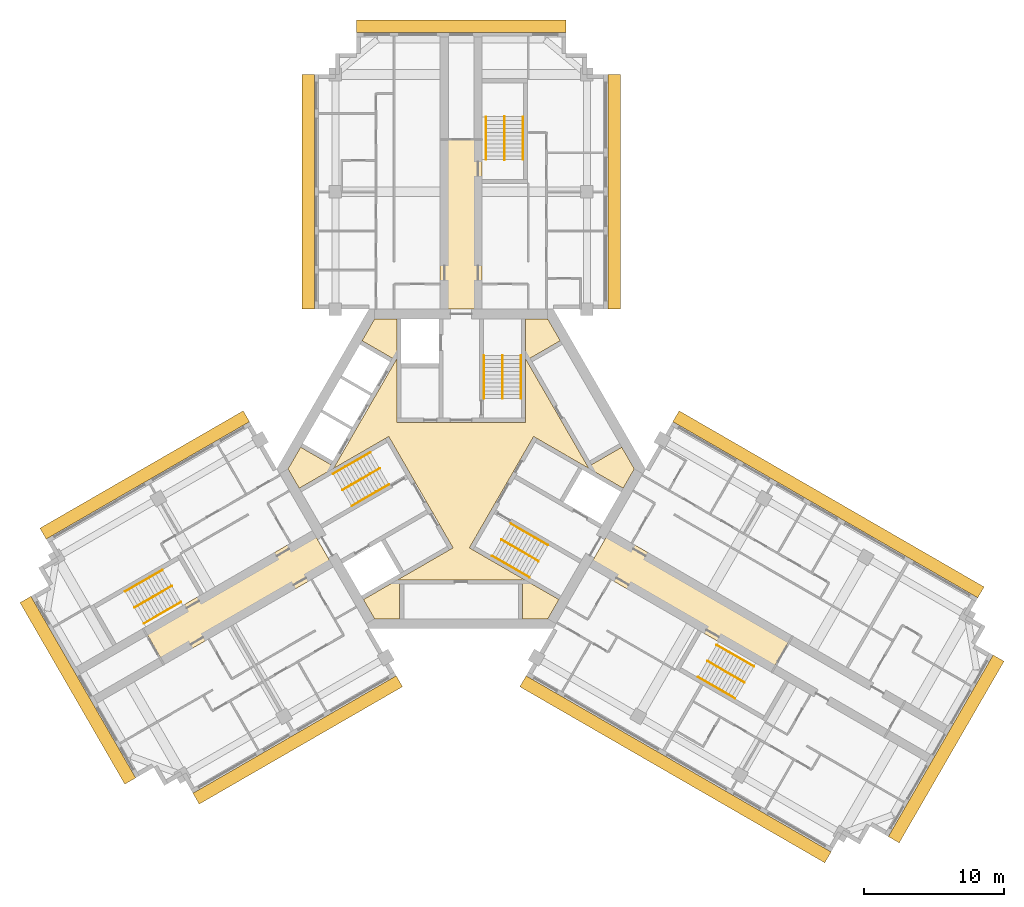
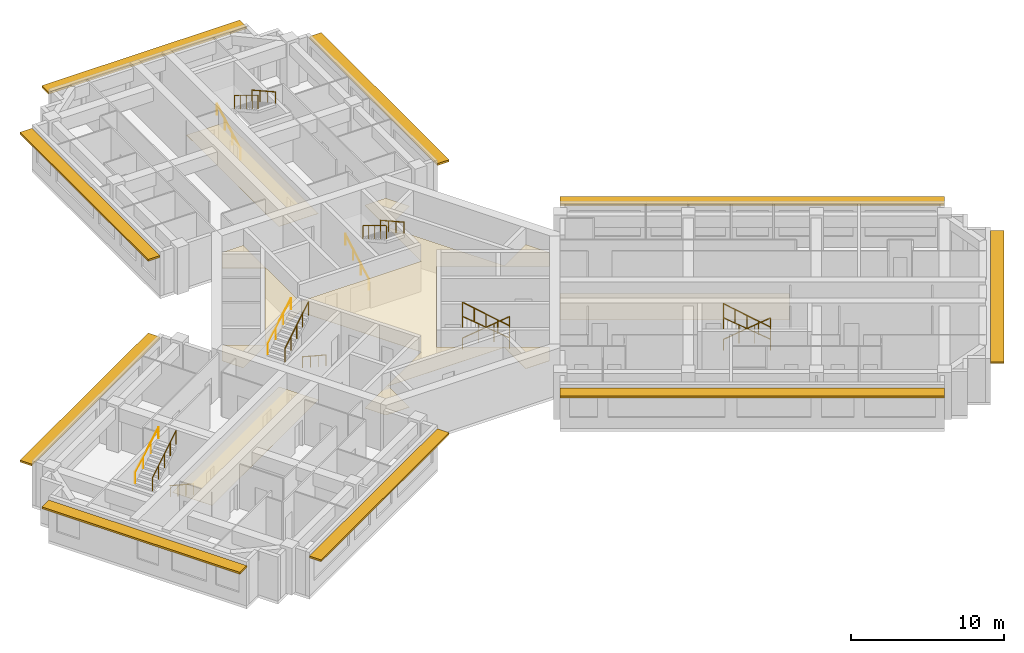
# One storey, part 10 of 10: 18 railings, 4 coverings, 3 shading devices.
"""IFC4 building model written with IfcOpenShell, lengths in metres."""

from ifc_helpers import new_model, si_unit, direction, frame, origin, origin_2d, place, context, subcontext, project, spatial, polyline, rectangle, circle, outline, extrude, material, layer, layer_set, type_object, element, save


model = new_model("IFC4")

# Units and contexts
model_context = context("Model", 3, precision=1e-05, world=origin(), true_north=direction((0.0, 1.0)))
body_context = subcontext(model_context, "Body", "Model", "MODEL_VIEW")
ifc_project = project(units=[si_unit("LENGTHUNIT", "METRE"), si_unit("AREAUNIT", "SQUARE_METRE"), si_unit("VOLUMEUNIT", "CUBIC_METRE"), si_unit("PLANEANGLEUNIT", "RADIAN"), si_unit("MASSUNIT", "GRAM", prefix="KILO")], contexts=[model_context])

# Site, building, storey
site_placement = place(None, origin())
site = spatial("IfcSite", under=ifc_project, at=site_placement, CompositionType="ELEMENT")
building_placement = place(site_placement, origin())
building = spatial("IfcBuilding", under=site, at=building_placement, Name="Impinga Residences", CompositionType="ELEMENT")
storey_placement = place(building_placement, frame((0.0, 0.0, 229.75)))
storey = spatial("IfcBuildingStorey", under=building, at=storey_placement, Name="L57", CompositionType="ELEMENT", Elevation=229.75)

# Coverings
ifc_material_1 = material(Name="Plasterboard 15 mm on steel hangers", Category="steel")
ifc_layer_1 = layer(ifc_material_1, 0.014892578125)
ifc_layer_set_1 = layer_set([ifc_layer_1], Name="Plasterboard 15 mm on steel hangers")
covering_type_1 = type_object("IfcCoveringType", Name="CL1 corridor ceiling, 15 mm plasterboard on hangers", PredefinedType="CEILING", material=ifc_layer_set_1)
covering_1_placement = place(storey_placement, frame((0.0, 0.0, 2.39990234375)))
element("IfcCovering", 1, at=covering_1_placement, inside=storey, type_object=covering_type_1, Name="Corridor ceiling CL1 L57-N00", PredefinedType="CEILING", context=body_context, shape_type="SweptSolid", body=[
    extrude(outline(polyline([(-1.5, 11.431640625), (1.5, 11.431640625), (1.5, 23.531494140625), (-1.5, 23.531494140625), (-1.5, 11.431640625)])), origin(), (0.0, 0.0, 1.0), 0.01513671875),
])
covering_2_placement = place(storey_placement, frame((0.0, 0.0, 2.39990234375)))
element("IfcCovering", 2, at=covering_2_placement, inside=storey, type_object=covering_type_1, Name="Corridor ceiling CL1 L57-W00", PredefinedType="CEILING", context=body_context, shape_type="SweptSolid", body=[
    extrude(outline(polyline([(-9.14990234375, -7.014892578125), (-10.64990234375, -4.416748046875), (-22.73095703125, -11.391845703125), (-21.23095703125, -13.98974609375), (-9.14990234375, -7.014892578125)])), origin(), (0.0, 0.0, 1.0), 0.01513671875),
])
covering_3_placement = place(storey_placement, frame((0.0, 0.0, 2.39990234375)))
element("IfcCovering", 3, at=covering_3_placement, inside=storey, type_object=covering_type_1, Name="Corridor ceiling CL1 L57-E00", PredefinedType="CEILING", context=body_context, shape_type="SweptSolid", body=[
    extrude(outline(polyline([(9.14990234375, -7.014892578125), (10.64990234375, -4.416748046875), (23.681396484375, -11.9404296875), (22.181396484375, -14.53857421875), (9.14990234375, -7.014892578125)])), origin(), (0.0, 0.0, 1.0), 0.01513671875),
])
ifc_material_2 = material(Name="Mineral fibre tiles 20 mm on exposed grid", Category="mineral fibre")
ifc_layer_2 = layer(ifc_material_2, 0.02001953125)
ifc_layer_set_2 = layer_set([ifc_layer_2], Name="CL2 lift lobby ceiling, 20 mm mineral fibre tiles")
covering_type_2 = type_object("IfcCoveringType", Name="CL2 lift lobby ceiling, 20 mm mineral fibre tiles", PredefinedType="CEILING", material=ifc_layer_set_2)
covering_4_placement = place(storey_placement, frame((0.0, 0.0, 2.39990234375)))
element("IfcCovering", 4, at=covering_4_placement, inside=storey, type_object=covering_type_2, Name="Lift lobby ceiling CL2 L57-C01", PredefinedType="CEILING", context=body_context, shape_type="SweptSolid", body=[
    extrude(outline(polyline([(12.3916015625, 0.0), (11.59375, -1.382080078125), (5.183837890625, 2.318603515625), (0.583984375, -5.648681640625), (6.993896484375, -9.349365234375), (6.19580078125, -10.7314453125), (4.39990234375, -10.7314453125), (4.39990234375, -7.931640625), (-4.39990234375, -7.931640625), (-4.39990234375, -10.7314453125), (-6.19580078125, -10.7314453125), (-6.993896484375, -9.349365234375), (-0.583984375, -5.648681640625), (-5.183837890625, 2.318603515625), (-11.59375, -1.382080078125), (-12.3916015625, 0.0), (-11.493896484375, 1.55517578125), (-9.06884765625, 0.1552734375), (-4.6689453125, 7.7763671875), (-7.09375, 9.17626953125), (-6.19580078125, 10.7314453125), (-4.60009765625, 10.7314453125), (-4.60009765625, 3.330078125), (4.60009765625, 3.330078125), (4.60009765625, 10.7314453125), (6.19580078125, 10.7314453125), (7.09375, 9.17626953125), (4.6689453125, 7.7763671875), (9.06884765625, 0.1552734375), (11.493896484375, 1.55517578125), (12.3916015625, 0.0)])), origin(), (0.0, 0.0, 1.0), 0.02001953125),
])

# Railings
ifc_material_3 = material(Name="Steel guard, powder coated", Category="steel")
railing_type_1 = type_object("IfcRailingType", Name="GR1 stair guard 1100", PredefinedType="GUARDRAIL", material=ifc_material_3)
railing_1_placement = place(storey_placement, frame((2.949951171875, 8.110107421875, 1.875)))
element("IfcRailing", 5, at=railing_1_placement, inside=storey, type_object=railing_type_1, Name="Stair guard GR1 ST1 L57", PredefinedType="GUARDRAIL", context=body_context, shape_type="SweptSolid", body=[
    extrude(circle(Radius=0.02392578125, at=origin_2d()), frame((0.0, 0.0, 1.076171875), z_axis=(0.0, -0.854177636135, 0.519981313056), x_axis=(1.0, 0.0, 0.0)), (0.0, 0.0, 1.0), 3.60595703125),
    extrude(circle(Radius=0.02099609375, at=origin_2d()), origin(), (0.0, 0.0, 1.0), 1.052001953125),
    extrude(circle(Radius=0.02099609375, at=origin_2d()), frame((0.0, -0.77001953125, 0.46875)), (0.0, 0.0, 1.0), 1.052001953125),
    extrude(circle(Radius=0.02099609375, at=origin_2d()), frame((0.0, -1.5400390625, 0.9375)), (0.0, 0.0, 1.0), 1.052001953125),
    extrude(circle(Radius=0.02099609375, at=origin_2d()), frame((0.0, -2.31005859375, 1.40625)), (0.0, 0.0, 1.0), 1.052001953125),
    extrude(circle(Radius=0.02099609375, at=origin_2d()), frame((0.0, -3.080078125, 1.875)), (0.0, 0.0, 1.0), 1.052001953125),
])
railing_2_placement = place(storey_placement, frame((-8.49853515625, -1.500244140625, 1.875)))
element("IfcRailing", 6, at=railing_2_placement, inside=storey, type_object=railing_type_1, Name="Stair guard GR1 ST2 L57", PredefinedType="GUARDRAIL", context=body_context, shape_type="SweptSolid", body=[
    extrude(circle(Radius=0.02392578125, at=origin_2d()), frame((0.0, 0.0, 1.076171875), z_axis=(0.739746383972, 0.427084037168, 0.519975492303), x_axis=(-0.499992328818, 0.866029832698, 0.0)), (0.0, 0.0, 1.0), 3.60595703125),
    extrude(circle(Radius=0.02099609375, at=origin_2d()), origin(), (0.0, 0.0, 1.0), 1.052001953125),
    extrude(circle(Radius=0.02099609375, at=origin_2d()), frame((0.6669921875, 0.385009765625, 0.46875)), (0.0, 0.0, 1.0), 1.052001953125),
    extrude(circle(Radius=0.02099609375, at=origin_2d()), frame((1.333740234375, 0.77001953125, 0.9375)), (0.0, 0.0, 1.0), 1.052001953125),
    extrude(circle(Radius=0.02099609375, at=origin_2d()), frame((2.00048828125, 1.155029296875, 1.40625)), (0.0, 0.0, 1.0), 1.052001953125),
    extrude(circle(Radius=0.02099609375, at=origin_2d()), frame((2.66748046875, 1.5400390625, 1.875)), (0.0, 0.0, 1.0), 1.052001953125),
])
railing_3_placement = place(storey_placement, frame((5.548583984375, -6.60986328125, 1.875)))
element("IfcRailing", 7, at=railing_3_placement, inside=storey, type_object=railing_type_1, Name="Stair guard GR1 ST3 L57", PredefinedType="GUARDRAIL", context=body_context, shape_type="SweptSolid", body=[
    extrude(circle(Radius=0.02392578125, at=origin_2d()), frame((0.0, 0.0, 1.076171875), z_axis=(-0.739746383972, 0.427084037168, 0.519975492303), x_axis=(-0.499992328818, -0.866029832698, 0.0)), (0.0, 0.0, 1.0), 3.60595703125),
    extrude(circle(Radius=0.02099609375, at=origin_2d()), origin(), (0.0, 0.0, 1.0), 1.052001953125),
    extrude(circle(Radius=0.02099609375, at=origin_2d()), frame((-0.6669921875, 0.385009765625, 0.46875)), (0.0, 0.0, 1.0), 1.052001953125),
    extrude(circle(Radius=0.02099609375, at=origin_2d()), frame((-1.333740234375, 0.77001953125, 0.9375)), (0.0, 0.0, 1.0), 1.052001953125),
    extrude(circle(Radius=0.02099609375, at=origin_2d()), frame((-2.00048828125, 1.155029296875, 1.40625)), (0.0, 0.0, 1.0), 1.052001953125),
    extrude(circle(Radius=0.02099609375, at=origin_2d()), frame((-2.66748046875, 1.5400390625, 1.875)), (0.0, 0.0, 1.0), 1.052001953125),
])
railing_4_placement = place(storey_placement, frame((3.10009765625, 25.21142578125, 1.875)))
element("IfcRailing", 8, at=railing_4_placement, inside=storey, type_object=railing_type_1, Name="Stair guard GR1 WS1 L57", PredefinedType="GUARDRAIL", context=body_context, shape_type="SweptSolid", body=[
    extrude(circle(Radius=0.02392578125, at=origin_2d()), frame((0.0, 0.0, 1.076171875), z_axis=(0.0, -0.854159328187, 0.520011386482), x_axis=(1.0, 0.0, 0.0)), (0.0, 0.0, 1.0), 3.605712890625),
    extrude(circle(Radius=0.02099609375, at=origin_2d()), origin(), (0.0, 0.0, 1.0), 1.052001953125),
    extrude(circle(Radius=0.02099609375, at=origin_2d()), frame((0.0, -0.77001953125, 0.46875)), (0.0, 0.0, 1.0), 1.052001953125),
    extrude(circle(Radius=0.02099609375, at=origin_2d()), frame((0.0, -1.5400390625, 0.9375)), (0.0, 0.0, 1.0), 1.052001953125),
    extrude(circle(Radius=0.02099609375, at=origin_2d()), frame((0.0, -2.309814453125, 1.40625)), (0.0, 0.0, 1.0), 1.052001953125),
    extrude(circle(Radius=0.02099609375, at=origin_2d()), frame((0.0, -3.079833984375, 1.875)), (0.0, 0.0, 1.0), 1.052001953125),
])
railing_5_placement = place(storey_placement, frame((-23.3837890625, -9.921142578125, 1.875)))
element("IfcRailing", 9, at=railing_5_placement, inside=storey, type_object=railing_type_1, Name="Stair guard GR1 WS2 L57", PredefinedType="GUARDRAIL", context=body_context, shape_type="SweptSolid", body=[
    extrude(circle(Radius=0.02392578125, at=origin_2d()), frame((0.0, 0.0, 1.076171875), z_axis=(0.739715726454, 0.427105428144, 0.52000153585), x_axis=(-0.500026652407, 0.866010015463, 0.0)), (0.0, 0.0, 1.0), 3.605712890625),
    extrude(circle(Radius=0.02099609375, at=origin_2d()), origin(), (0.0, 0.0, 1.0), 1.052001953125),
    extrude(circle(Radius=0.02099609375, at=origin_2d()), frame((0.666748046875, 0.385009765625, 0.46875)), (0.0, 0.0, 1.0), 1.052001953125),
    extrude(circle(Radius=0.02099609375, at=origin_2d()), frame((1.33349609375, 0.77001953125, 0.9375)), (0.0, 0.0, 1.0), 1.052001953125),
    extrude(circle(Radius=0.02099609375, at=origin_2d()), frame((2.00048828125, 1.155029296875, 1.40625)), (0.0, 0.0, 1.0), 1.052001953125),
    extrude(circle(Radius=0.02099609375, at=origin_2d()), frame((2.667236328125, 1.5400390625, 1.875)), (0.0, 0.0, 1.0), 1.052001953125),
])
railing_6_placement = place(storey_placement, frame((20.283935546875, -15.29052734375, 1.875)))
element("IfcRailing", 10, at=railing_6_placement, inside=storey, type_object=railing_type_1, Name="Stair guard GR1 WS3 L57", PredefinedType="GUARDRAIL", context=body_context, shape_type="SweptSolid", body=[
    extrude(circle(Radius=0.02392578125, at=origin_2d()), frame((0.0, 0.0, 1.076171875), z_axis=(-0.739746383972, 0.427084037168, 0.519975492303), x_axis=(-0.499992328818, -0.866029832698, 0.0)), (0.0, 0.0, 1.0), 3.60595703125),
    extrude(circle(Radius=0.02099609375, at=origin_2d()), origin(), (0.0, 0.0, 1.0), 1.052001953125),
    extrude(circle(Radius=0.02099609375, at=origin_2d()), frame((-0.6669921875, 0.385009765625, 0.46875)), (0.0, 0.0, 1.0), 1.052001953125),
    extrude(circle(Radius=0.02099609375, at=origin_2d()), frame((-1.333740234375, 0.77001953125, 0.9375)), (0.0, 0.0, 1.0), 1.052001953125),
    extrude(circle(Radius=0.02099609375, at=origin_2d()), frame((-2.00048828125, 1.155029296875, 1.40625)), (0.0, 0.0, 1.0), 1.052001953125),
    extrude(circle(Radius=0.02099609375, at=origin_2d()), frame((-2.66748046875, 1.5400390625, 1.875)), (0.0, 0.0, 1.0), 1.052001953125),
])
ifc_material_4 = material(Name="Steel handrail tube 42 mm, powder coated", Category="steel")
railing_type_2 = type_object("IfcRailingType", Name="HR1 stair handrail, 42 mm steel tube, 900 above the pitch line", PredefinedType="HANDRAIL", material=ifc_material_4)
railing_7_placement = place(storey_placement, frame((1.62109375, 5.030029296875, 0.15625)))
element("IfcRailing", 11, at=railing_7_placement, inside=storey, type_object=railing_type_2, Name="Stair handrail HR1 ST1 L57", PredefinedType="HANDRAIL", context=body_context, shape_type="SweptSolid", body=[
    extrude(circle(Radius=0.02099609375, at=origin_2d()), frame((0.0, 0.0, 0.87890625), z_axis=(0.0, 0.873241540666, 0.487287606713), x_axis=(-1.0, 0.0, 0.0)), (0.0, 0.0, 1.0), 3.527099609375),
    extrude(circle(Radius=0.012451171875, at=origin_2d()), origin(), (0.0, 0.0, 1.0), 0.85791015625),
    extrude(circle(Radius=0.012451171875, at=origin_2d()), frame((0.0, 1.026611328125, 0.572998046875)), (0.0, 0.0, 1.0), 0.85791015625),
    extrude(circle(Radius=0.012451171875, at=origin_2d()), frame((0.0, 2.053466796875, 1.145751953125)), (0.0, 0.0, 1.0), 0.85791015625),
    extrude(circle(Radius=0.012451171875, at=origin_2d()), frame((0.0, 3.080078125, 1.71875)), (0.0, 0.0, 1.0), 0.85791015625),
])
railing_8_placement = place(storey_placement, frame((4.279052734375, 8.110107421875, 2.03125)))
element("IfcRailing", 12, at=railing_8_placement, inside=storey, type_object=railing_type_2, Name="Stair handrail HR1 ST1 L57", PredefinedType="HANDRAIL", context=body_context, shape_type="SweptSolid", body=[
    extrude(circle(Radius=0.02099609375, at=origin_2d()), frame((0.0, 0.0, 0.87890625), z_axis=(0.0, -0.873241540666, 0.487287606713), x_axis=(1.0, 0.0, 0.0)), (0.0, 0.0, 1.0), 3.527099609375),
    extrude(circle(Radius=0.012451171875, at=origin_2d()), origin(), (0.0, 0.0, 1.0), 0.85791015625),
    extrude(circle(Radius=0.012451171875, at=origin_2d()), frame((0.0, -1.026611328125, 0.572998046875)), (0.0, 0.0, 1.0), 0.85791015625),
    extrude(circle(Radius=0.012451171875, at=origin_2d()), frame((0.0, -2.053466796875, 1.145751953125)), (0.0, 0.0, 1.0), 0.85791015625),
    extrude(circle(Radius=0.012451171875, at=origin_2d()), frame((0.0, -3.080078125, 1.71875)), (0.0, 0.0, 1.0), 0.85791015625),
])
railing_9_placement = place(storey_placement, frame((-5.16650390625, -1.111083984375, 0.15625)))
element("IfcRailing", 13, at=railing_9_placement, inside=storey, type_object=railing_type_2, Name="Stair handrail HR1 ST2 L57", PredefinedType="HANDRAIL", context=body_context, shape_type="SweptSolid", body=[
    extrude(circle(Radius=0.02099609375, at=origin_2d()), frame((0.0, 0.0, 0.87890625), z_axis=(-0.756255980417, -0.436615662133, 0.487281905742), x_axis=(0.499992328818, -0.866029832698, 0.0)), (0.0, 0.0, 1.0), 3.527099609375),
    extrude(circle(Radius=0.012451171875, at=origin_2d()), origin(), (0.0, 0.0, 1.0), 0.85791015625),
    extrude(circle(Radius=0.012451171875, at=origin_2d()), frame((-0.88916015625, -0.513427734375, 0.572998046875)), (0.0, 0.0, 1.0), 0.85791015625),
    extrude(circle(Radius=0.012451171875, at=origin_2d()), frame((-1.7783203125, -1.026611328125, 1.145751953125)), (0.0, 0.0, 1.0), 0.85791015625),
    extrude(circle(Radius=0.012451171875, at=origin_2d()), frame((-2.66748046875, -1.5400390625, 1.71875)), (0.0, 0.0, 1.0), 0.85791015625),
])
railing_10_placement = place(storey_placement, frame((-9.1630859375, -0.349365234375, 2.03125)))
element("IfcRailing", 14, at=railing_10_placement, inside=storey, type_object=railing_type_2, Name="Stair handrail HR1 ST2 L57", PredefinedType="HANDRAIL", context=body_context, shape_type="SweptSolid", body=[
    extrude(circle(Radius=0.02099609375, at=origin_2d()), frame((0.0, 0.0, 0.87890625), z_axis=(0.756255980417, 0.436615662133, 0.487281905742), x_axis=(-0.499992328818, 0.866029832698, 0.0)), (0.0, 0.0, 1.0), 3.527099609375),
    extrude(circle(Radius=0.012451171875, at=origin_2d()), origin(), (0.0, 0.0, 1.0), 0.85791015625),
    extrude(circle(Radius=0.012451171875, at=origin_2d()), frame((0.88916015625, 0.513427734375, 0.572998046875)), (0.0, 0.0, 1.0), 0.85791015625),
    extrude(circle(Radius=0.012451171875, at=origin_2d()), frame((1.7783203125, 1.026611328125, 1.145751953125)), (0.0, 0.0, 1.0), 0.85791015625),
    extrude(circle(Radius=0.012451171875, at=origin_2d()), frame((2.66748046875, 1.5400390625, 1.71875)), (0.0, 0.0, 1.0), 0.85791015625),
])
railing_11_placement = place(storey_placement, frame((3.545654296875, -3.9189453125, 0.15625)))
element("IfcRailing", 15, at=railing_11_placement, inside=storey, type_object=railing_type_2, Name="Stair handrail HR1 ST3 L57", PredefinedType="HANDRAIL", context=body_context, shape_type="SweptSolid", body=[
    extrude(circle(Radius=0.02099609375, at=origin_2d()), frame((0.0, 0.0, 0.87890625), z_axis=(0.756249203677, -0.436582492228, 0.487322141317), x_axis=(0.499967199496, 0.866044340336, 0.0)), (0.0, 0.0, 1.0), 3.52685546875),
    extrude(circle(Radius=0.012451171875, at=origin_2d()), origin(), (0.0, 0.0, 1.0), 0.85791015625),
    extrude(circle(Radius=0.012451171875, at=origin_2d()), frame((0.88916015625, -0.51318359375, 0.572998046875)), (0.0, 0.0, 1.0), 0.85791015625),
    extrude(circle(Radius=0.012451171875, at=origin_2d()), frame((1.778076171875, -1.026611328125, 1.145751953125)), (0.0, 0.0, 1.0), 0.85791015625),
    extrude(circle(Radius=0.012451171875, at=origin_2d()), frame((2.667236328125, -1.539794921875, 1.71875)), (0.0, 0.0, 1.0), 0.85791015625),
])
railing_12_placement = place(storey_placement, frame((4.884033203125, -7.7607421875, 2.03125)))
element("IfcRailing", 16, at=railing_12_placement, inside=storey, type_object=railing_type_2, Name="Stair handrail HR1 ST3 L57", PredefinedType="HANDRAIL", context=body_context, shape_type="SweptSolid", body=[
    extrude(circle(Radius=0.02099609375, at=origin_2d()), frame((0.0, 0.0, 0.87890625), z_axis=(-0.756255980417, 0.436615662133, 0.487281905742), x_axis=(-0.499992328818, -0.866029832698, 0.0)), (0.0, 0.0, 1.0), 3.527099609375),
    extrude(circle(Radius=0.012451171875, at=origin_2d()), origin(), (0.0, 0.0, 1.0), 0.85791015625),
    extrude(circle(Radius=0.012451171875, at=origin_2d()), frame((-0.88916015625, 0.513427734375, 0.572998046875)), (0.0, 0.0, 1.0), 0.85791015625),
    extrude(circle(Radius=0.012451171875, at=origin_2d()), frame((-1.7783203125, 1.026611328125, 1.145751953125)), (0.0, 0.0, 1.0), 0.85791015625),
    extrude(circle(Radius=0.012451171875, at=origin_2d()), frame((-2.66748046875, 1.5400390625, 1.71875)), (0.0, 0.0, 1.0), 0.85791015625),
])
railing_13_placement = place(storey_placement, frame((1.77099609375, 22.131591796875, 0.15625)))
element("IfcRailing", 17, at=railing_13_placement, inside=storey, type_object=railing_type_2, Name="Stair handrail HR1 WS1 L57", PredefinedType="HANDRAIL", context=body_context, shape_type="SweptSolid", body=[
    extrude(circle(Radius=0.02099609375, at=origin_2d()), frame((0.0, 0.0, 0.87890625), z_axis=(0.0, 0.873225103656, 0.487317061414), x_axis=(-1.0, 0.0, 0.0)), (0.0, 0.0, 1.0), 3.52685546875),
    extrude(circle(Radius=0.012451171875, at=origin_2d()), origin(), (0.0, 0.0, 1.0), 0.85791015625),
    extrude(circle(Radius=0.012451171875, at=origin_2d()), frame((0.0, 1.026611328125, 0.572998046875)), (0.0, 0.0, 1.0), 0.85791015625),
    extrude(circle(Radius=0.012451171875, at=origin_2d()), frame((0.0, 2.05322265625, 1.145751953125)), (0.0, 0.0, 1.0), 0.85791015625),
    extrude(circle(Radius=0.012451171875, at=origin_2d()), frame((0.0, 3.079833984375, 1.71875)), (0.0, 0.0, 1.0), 0.85791015625),
])
railing_14_placement = place(storey_placement, frame((4.428955078125, 25.21142578125, 2.03125)))
element("IfcRailing", 18, at=railing_14_placement, inside=storey, type_object=railing_type_2, Name="Stair handrail HR1 WS1 L57", PredefinedType="HANDRAIL", context=body_context, shape_type="SweptSolid", body=[
    extrude(circle(Radius=0.02099609375, at=origin_2d()), frame((0.0, 0.0, 0.87890625), z_axis=(0.0, -0.873225103656, 0.487317061414), x_axis=(1.0, 0.0, 0.0)), (0.0, 0.0, 1.0), 3.52685546875),
    extrude(circle(Radius=0.012451171875, at=origin_2d()), origin(), (0.0, 0.0, 1.0), 0.85791015625),
    extrude(circle(Radius=0.012451171875, at=origin_2d()), frame((0.0, -1.026611328125, 0.572998046875)), (0.0, 0.0, 1.0), 0.85791015625),
    extrude(circle(Radius=0.012451171875, at=origin_2d()), frame((0.0, -2.05322265625, 1.145751953125)), (0.0, 0.0, 1.0), 0.85791015625),
    extrude(circle(Radius=0.012451171875, at=origin_2d()), frame((0.0, -3.079833984375, 1.71875)), (0.0, 0.0, 1.0), 0.85791015625),
])
railing_15_placement = place(storey_placement, frame((-20.052001953125, -9.531982421875, 0.15625)))
element("IfcRailing", 19, at=railing_15_placement, inside=storey, type_object=railing_type_2, Name="Stair handrail HR1 WS2 L57", PredefinedType="HANDRAIL", context=body_context, shape_type="SweptSolid", body=[
    extrude(circle(Radius=0.02099609375, at=origin_2d()), frame((0.0, 0.0, 0.87890625), z_axis=(-0.756226348243, -0.436638517594, 0.487307413422), x_axis=(0.500026652407, -0.866010015463, 0.0)), (0.0, 0.0, 1.0), 3.527099609375),
    extrude(circle(Radius=0.012451171875, at=origin_2d()), origin(), (0.0, 0.0, 1.0), 0.85791015625),
    extrude(circle(Radius=0.012451171875, at=origin_2d()), frame((-0.88916015625, -0.513427734375, 0.572998046875)), (0.0, 0.0, 1.0), 0.85791015625),
    extrude(circle(Radius=0.012451171875, at=origin_2d()), frame((-1.778076171875, -1.026611328125, 1.145751953125)), (0.0, 0.0, 1.0), 0.85791015625),
    extrude(circle(Radius=0.012451171875, at=origin_2d()), frame((-2.667236328125, -1.5400390625, 1.71875)), (0.0, 0.0, 1.0), 0.85791015625),
])
railing_16_placement = place(storey_placement, frame((-24.04833984375, -8.77001953125, 2.03125)))
element("IfcRailing", 20, at=railing_16_placement, inside=storey, type_object=railing_type_2, Name="Stair handrail HR1 WS2 L57", PredefinedType="HANDRAIL", context=body_context, shape_type="SweptSolid", body=[
    extrude(circle(Radius=0.02099609375, at=origin_2d()), frame((0.0, 0.0, 0.87890625), z_axis=(0.756278834354, 0.436559638319, 0.487296631324), x_axis=(-0.499932877268, 0.866064153644, 0.0)), (0.0, 0.0, 1.0), 3.527099609375),
    extrude(circle(Radius=0.012451171875, at=origin_2d()), origin(), (0.0, 0.0, 1.0), 0.85791015625),
    extrude(circle(Radius=0.012451171875, at=origin_2d()), frame((0.88916015625, 0.51318359375, 0.572998046875)), (0.0, 0.0, 1.0), 0.85791015625),
    extrude(circle(Radius=0.012451171875, at=origin_2d()), frame((1.7783203125, 1.026611328125, 1.145751953125)), (0.0, 0.0, 1.0), 0.85791015625),
    extrude(circle(Radius=0.012451171875, at=origin_2d()), frame((2.66748046875, 1.539794921875, 1.71875)), (0.0, 0.0, 1.0), 0.85791015625),
])
railing_17_placement = place(storey_placement, frame((18.281005859375, -12.599609375, 0.15625)))
element("IfcRailing", 21, at=railing_17_placement, inside=storey, type_object=railing_type_2, Name="Stair handrail HR1 WS3 L57", PredefinedType="HANDRAIL", context=body_context, shape_type="SweptSolid", body=[
    extrude(circle(Radius=0.02099609375, at=origin_2d()), frame((0.0, 0.0, 0.87890625), z_axis=(0.756249203677, -0.436582492228, 0.487322141317), x_axis=(0.499967199496, 0.866044340336, 0.0)), (0.0, 0.0, 1.0), 3.52685546875),
    extrude(circle(Radius=0.012451171875, at=origin_2d()), origin(), (0.0, 0.0, 1.0), 0.85791015625),
    extrude(circle(Radius=0.012451171875, at=origin_2d()), frame((0.88916015625, -0.51318359375, 0.572998046875)), (0.0, 0.0, 1.0), 0.85791015625),
    extrude(circle(Radius=0.012451171875, at=origin_2d()), frame((1.778076171875, -1.026611328125, 1.145751953125)), (0.0, 0.0, 1.0), 0.85791015625),
    extrude(circle(Radius=0.012451171875, at=origin_2d()), frame((2.667236328125, -1.539794921875, 1.71875)), (0.0, 0.0, 1.0), 0.85791015625),
])
railing_18_placement = place(storey_placement, frame((19.619384765625, -16.44140625, 2.03125)))
element("IfcRailing", 22, at=railing_18_placement, inside=storey, type_object=railing_type_2, Name="Stair handrail HR1 WS3 L57", PredefinedType="HANDRAIL", context=body_context, shape_type="SweptSolid", body=[
    extrude(circle(Radius=0.02099609375, at=origin_2d()), frame((0.0, 0.0, 0.87890625), z_axis=(-0.756255980417, 0.436615662133, 0.487281905742), x_axis=(-0.499992328818, -0.866029832698, 0.0)), (0.0, 0.0, 1.0), 3.527099609375),
    extrude(circle(Radius=0.012451171875, at=origin_2d()), origin(), (0.0, 0.0, 1.0), 0.85791015625),
    extrude(circle(Radius=0.012451171875, at=origin_2d()), frame((-0.88916015625, 0.513427734375, 0.572998046875)), (0.0, 0.0, 1.0), 0.85791015625),
    extrude(circle(Radius=0.012451171875, at=origin_2d()), frame((-1.7783203125, 1.026611328125, 1.145751953125)), (0.0, 0.0, 1.0), 0.85791015625),
    extrude(circle(Radius=0.012451171875, at=origin_2d()), frame((-2.66748046875, 1.5400390625, 1.71875)), (0.0, 0.0, 1.0), 0.85791015625),
])

# Shading devices
ifc_material_5 = material(Name="Terracotta sunshade blades on aluminium brackets", Category="masonry")
ifc_layer_3 = layer(ifc_material_5, 0.14990234375)
ifc_layer_set_3 = layer_set([ifc_layer_3], Name="SS1 SUNSHADE terracotta sunshade band 900")
shading_device_type = type_object("IfcShadingDeviceType", Name="SS1 SUNSHADE terracotta sunshade band 900", PredefinedType="USERDEFINED", material=ifc_layer_set_3)
shading_device_1_placement = place(storey_placement, frame((-10.949951171875, 19.83154296875, 3.10009765625), z_axis=(0.0, 0.0, 1.0), x_axis=(0.0, 1.0, 0.0)))
element("IfcShadingDevice", 23, at=shading_device_1_placement, inside=storey, type_object=shading_device_type, Name="SUNSHADE band L57 NORTH WING", ObjectType="SUNSHADE", PredefinedType="USERDEFINED", context=body_context, shape_type="SweptSolid", body=[
    extrude(rectangle(XDim=16.800048828125, YDim=0.89990234375, at=origin_2d()), origin(), (0.0, 0.0, 1.0), 0.14990234375),
    extrude(rectangle(XDim=15.0, YDim=0.89990234375, at=origin_2d()), frame((11.85009765625, -10.949951171875, 0.0), z_axis=(0.0, 0.0, 1.0), x_axis=(0.0, -1.0, 0.0)), (0.0, 0.0, 1.0), 0.14990234375),
    extrude(rectangle(XDim=16.800048828125, YDim=0.89990234375, at=origin_2d()), frame((0.0, -21.89990234375, 0.0), z_axis=(0.0, 0.0, 1.0), x_axis=(-1.0, 0.0, 0.0)), (0.0, 0.0, 1.0), 0.14990234375),
])
shading_device_2_placement = place(storey_placement, frame((-11.69970703125, -19.398681640625, 3.10009765625), z_axis=(0.0, 0.0, 1.0), x_axis=(-0.866025403784, -0.5, 0.0)))
element("IfcShadingDevice", 24, at=shading_device_2_placement, inside=storey, type_object=shading_device_type, Name="SUNSHADE band L57 WEST WING", ObjectType="SUNSHADE", PredefinedType="USERDEFINED", context=body_context, shape_type="SweptSolid", body=[
    extrude(rectangle(XDim=16.800048828125, YDim=0.89990234375, at=origin_2d()), origin(), (0.0, 0.0, 1.0), 0.14990234375),
    extrude(rectangle(XDim=15.0, YDim=0.89990234375, at=origin_2d()), frame((11.849853515625, -10.949951171875, 0.0), z_axis=(0.0, 0.0, 1.0), x_axis=(0.0, -1.0, 0.0)), (0.0, 0.0, 1.0), 0.14990234375),
    extrude(rectangle(XDim=16.800048828125, YDim=0.89990234375, at=origin_2d()), frame((0.0, -21.89990234375, 0.0), z_axis=(0.0, 0.0, 1.0), x_axis=(-1.0, 0.0, 0.0)), (0.0, 0.0, 1.0), 0.14990234375),
])
shading_device_3_placement = place(storey_placement, frame((34.711669921875, -20.040771484375, 3.10009765625), z_axis=(0.0, 0.0, 1.0), x_axis=(-0.5, -0.866025403784, 0.0)))
element("IfcShadingDevice", 25, at=shading_device_3_placement, inside=storey, type_object=shading_device_type, Name="SUNSHADE band L57 EAST WING", ObjectType="SUNSHADE", PredefinedType="USERDEFINED", context=body_context, shape_type="SweptSolid", body=[
    extrude(rectangle(XDim=15.0, YDim=0.89990234375, at=origin_2d()), origin(), (0.0, 0.0, 1.0), 0.14990234375),
    extrude(rectangle(XDim=25.199951171875, YDim=0.89990234375, at=origin_2d()), frame((10.949951171875, -16.050048828125, 0.0), z_axis=(0.0, 0.0, 1.0), x_axis=(0.0, -1.0, 0.0)), (0.0, 0.0, 1.0), 0.14990234375),
    extrude(rectangle(XDim=25.199951171875, YDim=0.89990234375, at=origin_2d()), frame((-10.949951171875, -16.050048828125, 0.0), z_axis=(0.0, 0.0, 1.0), x_axis=(0.0, 1.0, 0.0)), (0.0, 0.0, 1.0), 0.14990234375),
])

save(model, "model.ifc")
